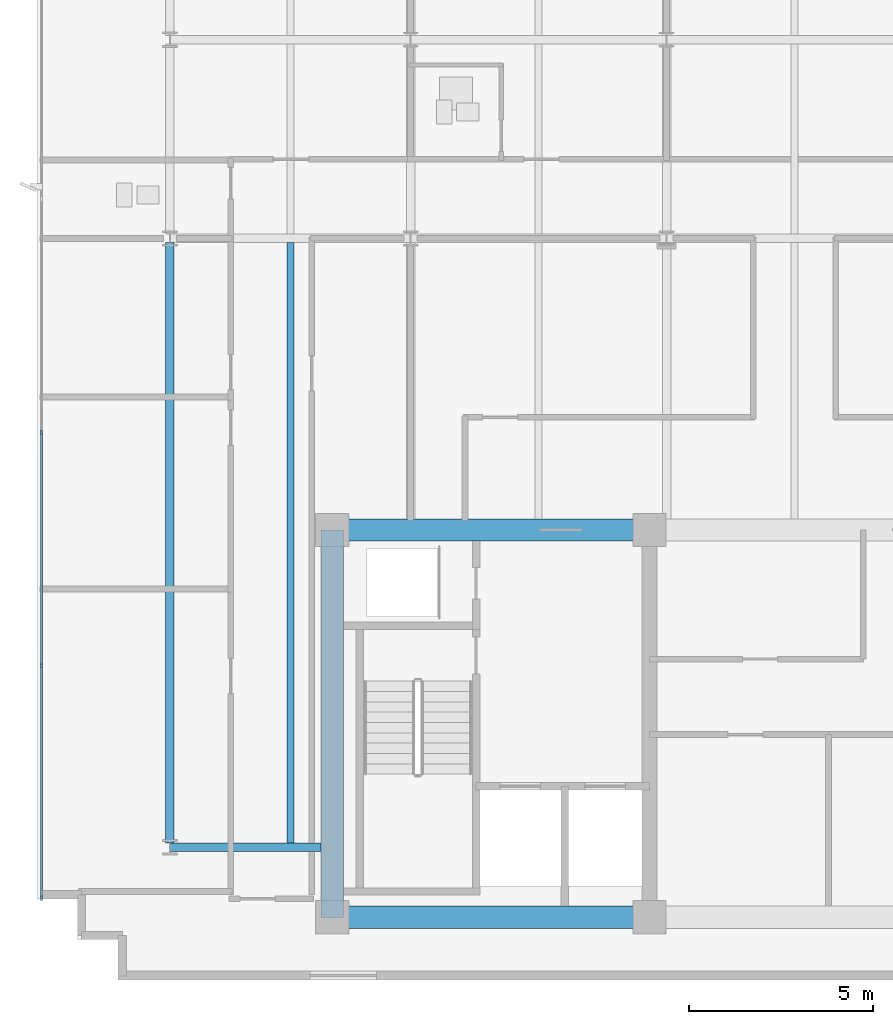
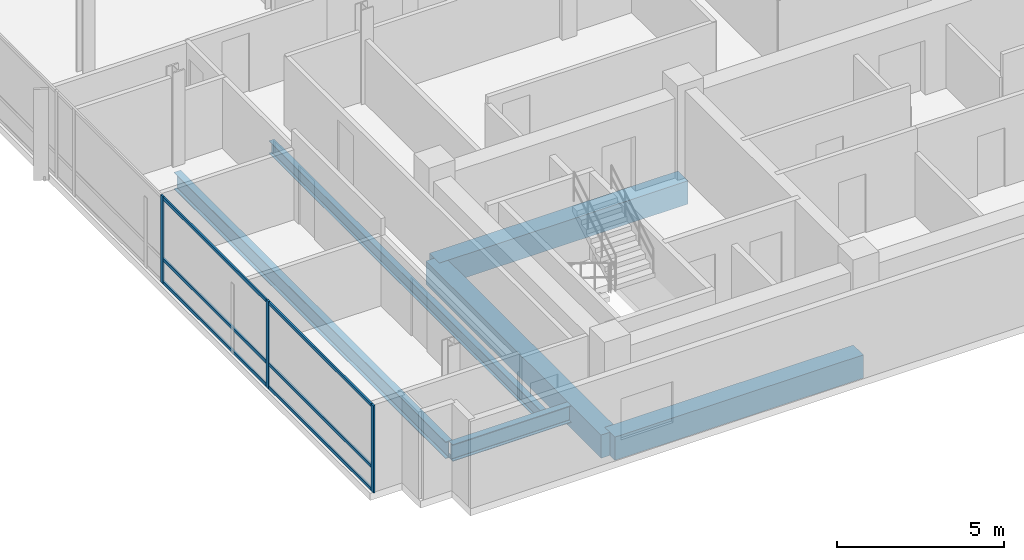
# One storey, part 2 of 17: 9 members, 6 beams, 1 element without a shape of its own.
"""IFC4 building model written with IfcOpenShell, lengths in metres."""

from ifc_helpers import new_model, si_unit, direction, frame, origin, origin_2d, place, context, subcontext, project, spatial, rectangle, i_section, extrude, material, material_profile, profile_set, type_object, element, aggregate, save


model = new_model("IFC4")

# Units and contexts
model_context = context("Model", 3, precision=1e-05, world=origin(), true_north=direction((0.0, 1.0)))
body_context = subcontext(model_context, "Body", "Model", "MODEL_VIEW")
ifc_project = project(units=[si_unit("LENGTHUNIT", "METRE"), si_unit("AREAUNIT", "SQUARE_METRE"), si_unit("VOLUMEUNIT", "CUBIC_METRE"), si_unit("PLANEANGLEUNIT", "RADIAN"), si_unit("MASSUNIT", "GRAM", prefix="KILO")], contexts=[model_context])

# Site, building, storey
site_placement = place(None, origin())
site = spatial("IfcSite", under=ifc_project, at=site_placement, CompositionType="ELEMENT")
building_placement = place(site_placement, origin())
building = spatial("IfcBuilding", under=site, at=building_placement, Name="Solmavex Isthmus Hotel", CompositionType="ELEMENT")
storey_placement = place(building_placement, frame((0.0, 0.0, 269.550048828125)))
storey = spatial("IfcBuildingStorey", under=building, at=storey_placement, Name="L73", CompositionType="ELEMENT", Elevation=269.550048828125)

# Beams
ifc_material_1 = material(Name="Steel ASTM A992 Grade 50", Category="steel")
ifc_material_profile_1 = material_profile(ifc_material_1, i_section(OverallWidth=0.1904296875, OverallDepth=0.456787109375, WebThickness=0.009033203125, FlangeThickness=0.014404296875, FilletRadius=0.0126953125, at=origin_2d()), Name="W18X50")
ifc_profile_set_1 = profile_set([ifc_material_profile_1], Name="Steel ASTM A992 Grade 50")
beam_type_1 = type_object("IfcBeamType", Name="BM-BJ-W18X50", PredefinedType="JOIST", material=ifc_profile_set_1)
beam_1_placement = place(storey_placement, frame((-17.135986328125, -10.98486328125, -0.488525390625), z_axis=(0.0, 1.0, 0.0), x_axis=(-1.0, 0.0, 0.0)))
element("IfcBeam", 1, at=beam_1_placement, inside=storey, type_object=beam_type_1, Name="Secondary Floor Joist L73-J01", PredefinedType="JOIST", context=body_context, shape_type="SweptSolid", body=[
    extrude(i_section(OverallWidth=0.1904296875, OverallDepth=0.456787109375, WebThickness=0.009033203125, FlangeThickness=0.014404296875, FilletRadius=0.0126953125, at=origin_2d()), origin(), (0.0, 0.0, 1.0), 16.27099609375),
])
ifc_material_2 = material(Name="Concrete C50/60", Category="concrete")
ifc_material_profile_2 = material_profile(ifc_material_2, rectangle(XDim=0.60009765625, YDim=0.85009765625, at=origin_2d()), Name="RC600X850")
ifc_profile_set_2 = profile_set([ifc_material_profile_2], Name="Concrete C50/60")
beam_type_2 = type_object("IfcBeamType", Name="BM-CB-600X850", PredefinedType="BEAM", material=ifc_profile_set_2)
for number, where, z_axis, x_axis, name in (
    (2, (-16.0, -13.0, -0.68505859375), (1.0, 0.0, 0.0), (0.0, 1.0, 0.0), "Core Coupling Beam L73-CB1"),
    (3, (-16.0, -2.5, -0.68505859375), (1.0, 0.0, 0.0), (0.0, 1.0, 0.0), "Core Coupling Beam L73-CB4"),
):
    element("IfcBeam", number, at=place(storey_placement, frame(where, z_axis=z_axis, x_axis=x_axis)), inside=storey, type_object=beam_type_2, Name=name, PredefinedType="BEAM", context=body_context, shape_type="SweptSolid", body=[
        extrude(rectangle(XDim=0.60009765625, YDim=0.85009765625, at=origin_2d()), origin(), (0.0, 0.0, 1.0), 8.60009765625),
    ])
beam_2_placement = place(storey_placement, frame((-16.0, -13.0, -0.68505859375), z_axis=(0.0, 1.0, 0.0), x_axis=(-1.0, 0.0, 0.0)))
element("IfcBeam", 4, at=beam_2_placement, inside=storey, type_object=beam_type_2, Name="Core Coupling Beam L73-CB7", PredefinedType="BEAM", context=body_context, shape_type="SweptSolid", body=[
    extrude(rectangle(XDim=0.60009765625, YDim=0.85009765625, at=origin_2d()), origin(), (0.0, 0.0, 1.0), 10.5),
])
ifc_material_profile_3 = material_profile(ifc_material_1, i_section(OverallWidth=0.230224609375, OverallDepth=0.617431640625, WebThickness=0.01318359375, FlangeThickness=0.022216796875, FilletRadius=0.01513671875, at=origin_2d()), Name="W24X94")
ifc_profile_set_3 = profile_set([ifc_material_profile_3], Name="Steel ASTM A992 Grade 50")
beam_type_3 = type_object("IfcBeamType", Name="BM-SP-W24X94", PredefinedType="SPANDREL", material=ifc_profile_set_3)
beam_3_placement = place(storey_placement, frame((-20.39990234375, -11.10009765625, -0.56884765625), z_axis=(1.0, 0.0, 0.0), x_axis=(0.0, 1.0, 0.0)))
element("IfcBeam", 5, at=beam_3_placement, inside=storey, type_object=beam_type_3, Name="Floor Girder L73-UG01", PredefinedType="SPANDREL", context=body_context, shape_type="SweptSolid", body=[
    extrude(i_section(OverallWidth=0.230224609375, OverallDepth=0.617431640625, WebThickness=0.01318359375, FlangeThickness=0.022216796875, FilletRadius=0.01513671875, at=origin_2d()), origin(), (0.0, 0.0, 1.0), 4.099853515625),
])
beam_4_placement = place(storey_placement, frame((-20.39990234375, -10.98486328125, -0.56884765625), z_axis=(0.0, 1.0, 0.0), x_axis=(-1.0, 0.0, 0.0)))
element("IfcBeam", 6, at=beam_4_placement, inside=storey, type_object=beam_type_3, Name="Floor Beam L73-VG21", PredefinedType="SPANDREL", context=body_context, shape_type="SweptSolid", body=[
    extrude(i_section(OverallWidth=0.230224609375, OverallDepth=0.617431640625, WebThickness=0.01318359375, FlangeThickness=0.022216796875, FilletRadius=0.01513671875, at=origin_2d()), origin(), (0.0, 0.0, 1.0), 16.27099609375),
])

# Curtain wall, members
ifc_material_3 = material(Name="Aluminium alloy 6063-T6", Category="aluminium")
curtain_wall_type = type_object("IfcCurtainWallType", Name="CW-SYS-06", PredefinedType="NOTDEFINED", material=ifc_material_3)
curtain_wall_placement = place(storey_placement, origin())
curtain_wall = element("IfcCurtainWall", 7, at=curtain_wall_placement, inside=storey, type_object=curtain_wall_type, Name="Stick Curtain Wall CWL-L73-W1", PredefinedType="NOTDEFINED")
ifc_material_profile_4 = material_profile(ifc_material_3, rectangle(XDim=0.06005859375, YDim=0.139892578125, at=origin_2d()), Name="CWM-60X140")
ifc_profile_set_4 = profile_set([ifc_material_profile_4], Name="Aluminium alloy 6063-T6")
member_type_1 = type_object("IfcMemberType", Name="CW-SYS-06-MUL", PredefinedType="MULLION", material=ifc_profile_set_4)
member_1_placement = place(storey_placement, frame((-23.8798828125, -12.469970703125, 0.0), z_axis=(0.0, 0.0, 1.0), x_axis=(-1.0, 0.0, 0.0)))
member_1 = element("IfcMember", 8, at=member_1_placement, type_object=member_type_1, Name="CW-06 mullion 1", PredefinedType="MULLION", context=body_context, shape_type="SweptSolid", body=[
    extrude(rectangle(XDim=0.06005859375, YDim=0.139892578125, at=origin_2d()), origin(), (0.0, 0.0, 1.0), 3.18994140625),
])
member_2_placement = place(storey_placement, frame((-23.8798828125, -6.179931640625, 0.0), z_axis=(0.0, 0.0, 1.0), x_axis=(-1.0, 0.0, 0.0)))
member_2 = element("IfcMember", 9, at=member_2_placement, type_object=member_type_1, Name="CW-06 mullion 2", PredefinedType="MULLION", context=body_context, shape_type="SweptSolid", body=[
    extrude(rectangle(XDim=0.06005859375, YDim=0.139892578125, at=origin_2d()), origin(), (0.0, 0.0, 1.0), 3.18994140625),
])
member_3_placement = place(storey_placement, frame((-23.8798828125, 0.139892578125, 0.0), z_axis=(0.0, 0.0, 1.0), x_axis=(-1.0, 0.0, 0.0)))
member_3 = element("IfcMember", 10, at=member_3_placement, type_object=member_type_1, Name="CW-06 mullion 3", PredefinedType="MULLION", context=body_context, shape_type="SweptSolid", body=[
    extrude(rectangle(XDim=0.06005859375, YDim=0.139892578125, at=origin_2d()), origin(), (0.0, 0.0, 1.0), 3.18994140625),
])
ifc_material_profile_5 = material_profile(ifc_material_3, rectangle(XDim=0.06005859375, YDim=0.114990234375, at=origin_2d()), Name="CWT-60X115")
ifc_profile_set_5 = profile_set([ifc_material_profile_5], Name="Aluminium alloy 6063-T6")
member_type_2 = type_object("IfcMemberType", Name="CW-SYS-06-TRN", PredefinedType="USERDEFINED", material=ifc_profile_set_5)
member_4_placement = place(storey_placement, frame((-23.8798828125, -12.43994140625, 0.057373046875), z_axis=(0.0, 1.0, 0.0), x_axis=(-1.0, 0.0, 0.0)))
member_4 = element("IfcMember", 11, at=member_4_placement, type_object=member_type_2, Name="CW-06 transom 1.1", ObjectType="TRANSOM", PredefinedType="USERDEFINED", context=body_context, shape_type="SweptSolid", body=[
    extrude(rectangle(XDim=0.06005859375, YDim=0.114990234375, at=origin_2d()), origin(), (0.0, 0.0, 1.0), 6.22998046875),
])
member_5_placement = place(storey_placement, frame((-23.8798828125, -12.43994140625, 0.89990234375), z_axis=(0.0, 1.0, 0.0), x_axis=(-1.0, 0.0, 0.0)))
member_5 = element("IfcMember", 12, at=member_5_placement, type_object=member_type_2, Name="CW-06 transom 1.2", ObjectType="TRANSOM", PredefinedType="USERDEFINED", context=body_context, shape_type="SweptSolid", body=[
    extrude(rectangle(XDim=0.06005859375, YDim=0.114990234375, at=origin_2d()), origin(), (0.0, 0.0, 1.0), 6.22998046875),
])
member_6_placement = place(storey_placement, frame((-23.8798828125, -12.43994140625, 3.132568359375), z_axis=(0.0, 1.0, 0.0), x_axis=(-1.0, 0.0, 0.0)))
member_6 = element("IfcMember", 13, at=member_6_placement, type_object=member_type_2, Name="CW-06 transom 1.3", ObjectType="TRANSOM", PredefinedType="USERDEFINED", context=body_context, shape_type="SweptSolid", body=[
    extrude(rectangle(XDim=0.06005859375, YDim=0.114990234375, at=origin_2d()), origin(), (0.0, 0.0, 1.0), 6.22998046875),
])
member_7_placement = place(storey_placement, frame((-23.8798828125, -6.14990234375, 0.057373046875), z_axis=(0.0, 1.0, 0.0), x_axis=(-1.0, 0.0, 0.0)))
member_7 = element("IfcMember", 14, at=member_7_placement, type_object=member_type_2, Name="CW-06 transom 2.1", ObjectType="TRANSOM", PredefinedType="USERDEFINED", context=body_context, shape_type="SweptSolid", body=[
    extrude(rectangle(XDim=0.06005859375, YDim=0.114990234375, at=origin_2d()), origin(), (0.0, 0.0, 1.0), 6.260009765625),
])
member_8_placement = place(storey_placement, frame((-23.8798828125, -6.14990234375, 0.89990234375), z_axis=(0.0, 1.0, 0.0), x_axis=(-1.0, 0.0, 0.0)))
member_8 = element("IfcMember", 15, at=member_8_placement, type_object=member_type_2, Name="CW-06 transom 2.2", ObjectType="TRANSOM", PredefinedType="USERDEFINED", context=body_context, shape_type="SweptSolid", body=[
    extrude(rectangle(XDim=0.06005859375, YDim=0.114990234375, at=origin_2d()), origin(), (0.0, 0.0, 1.0), 6.260009765625),
])
member_9_placement = place(storey_placement, frame((-23.8798828125, -6.14990234375, 3.132568359375), z_axis=(0.0, 1.0, 0.0), x_axis=(-1.0, 0.0, 0.0)))
member_9 = element("IfcMember", 16, at=member_9_placement, type_object=member_type_2, Name="CW-06 transom 2.3", ObjectType="TRANSOM", PredefinedType="USERDEFINED", context=body_context, shape_type="SweptSolid", body=[
    extrude(rectangle(XDim=0.06005859375, YDim=0.114990234375, at=origin_2d()), origin(), (0.0, 0.0, 1.0), 6.260009765625),
])
aggregate(curtain_wall, [member_1, member_2, member_3, member_4, member_5, member_6, member_7, member_8, member_9])

save(model, "model.ifc")
